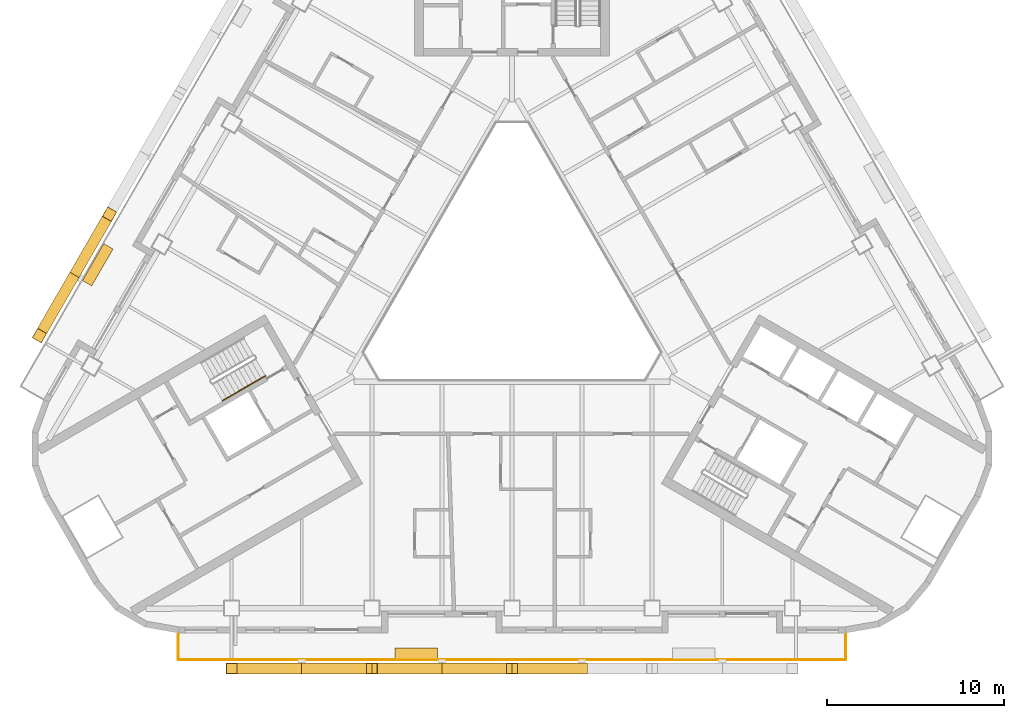
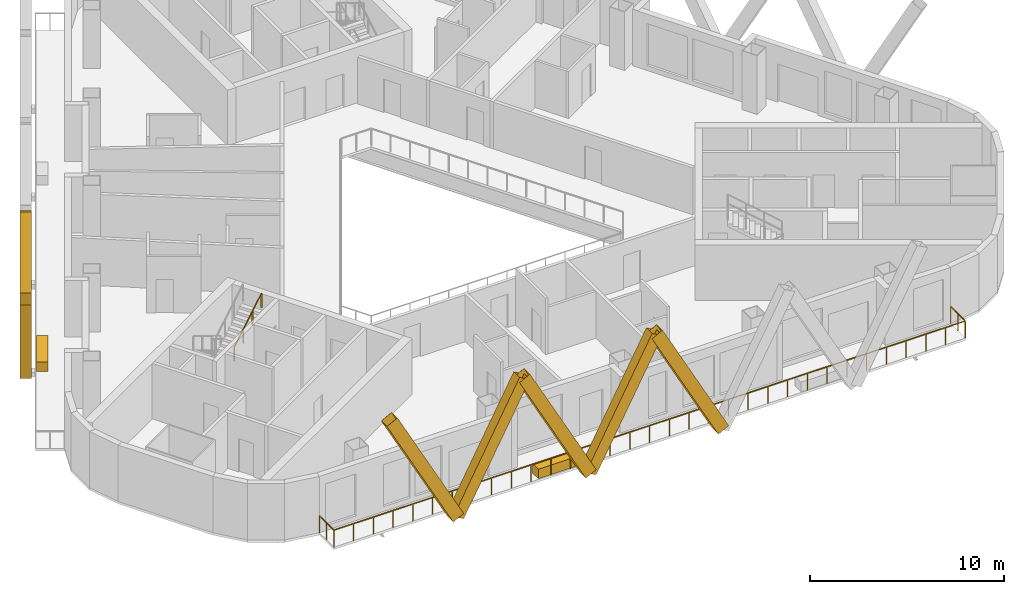
# One storey, part 9 of 14: 7 shading devices, 2 coverings, 2 railings.
"""IFC4 building model written with IfcOpenShell, lengths in metres."""

from ifc_helpers import new_model, si_unit, direction, frame, origin, origin_2d, place, context, subcontext, project, spatial, rectangle, hollow_rectangle, circle, extrude, material, material_profile, profile_set, type_object, element, save


model = new_model("IFC4")

# Units and contexts
model_context = context("Model", 3, precision=1e-05, world=origin(), true_north=direction((0.0, 1.0)))
body_context = subcontext(model_context, "Body", "Model", "MODEL_VIEW")
ifc_project = project(units=[si_unit("LENGTHUNIT", "METRE"), si_unit("AREAUNIT", "SQUARE_METRE"), si_unit("VOLUMEUNIT", "CUBIC_METRE"), si_unit("PLANEANGLEUNIT", "RADIAN"), si_unit("MASSUNIT", "GRAM", prefix="KILO")], contexts=[model_context])

# Site, building, storey
site_placement = place(None, origin())
site = spatial("IfcSite", under=ifc_project, at=site_placement, CompositionType="ELEMENT")
building_placement = place(site_placement, origin())
building = spatial("IfcBuilding", under=site, at=building_placement, Name="Apuvela Tower Hotel", CompositionType="ELEMENT")
storey_placement = place(building_placement, frame((0.0, 0.0, 98.300048828125)))
storey = spatial("IfcBuildingStorey", under=building, at=storey_placement, Name="L22", CompositionType="ELEMENT", Elevation=98.300048828125)

# Railing
ifc_material_1 = material(Name="Stainless steel 316 handrail", Category="steel")
railing_type_1 = type_object("IfcRailingType", Name="COR-HANDRAIL-900", PredefinedType="HANDRAIL", material=ifc_material_1)
railing_1_placement = place(storey_placement, frame((-16.31884765625, -6.534912109375, 2.01806640625)))
element("IfcRailing", 1, at=railing_1_placement, inside=storey, type_object=railing_type_1, Name="L22 ST2 stair handrail 2", PredefinedType="HANDRAIL", context=body_context, shape_type="SweptSolid", body=[
    extrude(circle(Radius=0.02392578125, at=origin_2d()), frame((0.0, 0.0, 0.8759765625), z_axis=(0.742390482028, 0.42860119049, 0.514934356695), x_axis=(-0.49998411664, 0.866034573852, 0.0)), (0.0, 0.0, 1.0), 3.26611328125),
    extrude(rectangle(XDim=0.0419921875, YDim=0.0419921875, at=origin_2d()), origin(), (0.0, 0.0, 1.0), 0.851806640625),
    extrude(rectangle(XDim=0.0419921875, YDim=0.0419921875, at=origin_2d()), frame((0.808349609375, 0.466552734375, 0.560546875)), (0.0, 0.0, 1.0), 0.851806640625),
    extrude(rectangle(XDim=0.0419921875, YDim=0.0419921875, at=origin_2d()), frame((1.616455078125, 0.933349609375, 1.121337890625)), (0.0, 0.0, 1.0), 0.851806640625),
    extrude(rectangle(XDim=0.0419921875, YDim=0.0419921875, at=origin_2d()), frame((2.4248046875, 1.39990234375, 1.681884765625)), (0.0, 0.0, 1.0), 0.851806640625),
])

# Shading devices
ifc_material_2 = material(Name="Aluminium 6063-T6, black anodised", Category="aluminium")
ifc_material_profile = material_profile(ifc_material_2, hollow_rectangle(XDim=0.60009765625, YDim=0.699951171875, WallThickness=0.011962890625, at=origin_2d()), Name="AL BOX 700x600x12")
ifc_profile_set = profile_set([ifc_material_profile], Name="Aluminium 6063-T6, black anodised")
shading_device_type = type_object("IfcShadingDeviceType", Name="ENV-FIN-700x600", PredefinedType="USERDEFINED", material=ifc_profile_set)
for number, where, z_axis, x_axis, name in (
    (2, (-11.85009765625, -21.6298828125, -0.10009765625), (-0.470885802113, 0.0, 0.882194174413), (0.0, -1.0, 0.0), "Lattice fin S153"),
    (3, (-11.85009765625, -21.6298828125, -0.10009765625), (0.470908452903, 0.0, 0.882182083804), (0.0, 1.0, 0.0), "Lattice fin S154"),
    (4, (-3.949951171875, -21.6298828125, -0.10009765625), (-0.470885802113, 0.0, 0.882194174413), (0.0, -1.0, 0.0), "Lattice fin S155"),
    (5, (-3.949951171875, -21.6298828125, -0.10009765625), (0.470885802113, 0.0, 0.882194174413), (0.0, 1.0, 0.0), "Lattice fin S156"),
    (6, (3.949951171875, -21.6298828125, -0.10009765625), (-0.470885802113, 0.0, 0.882194174413), (0.0, -1.0, 0.0), "Lattice fin S157"),
    (7, (-24.656982421875, 0.552490234375, -0.10009765625), (0.235427548578, 0.407814415956, 0.882191176281), (-0.866047669374, 0.499961432884, 0.0), "Lattice fin NW255"),
    (8, (-24.656982421875, 0.552490234375, -0.10009765625), (-0.235457834389, -0.407787356937, 0.88219560175), (0.866005453737, -0.500034552904, 0.0), "Lattice fin NW256"),
):
    element("IfcShadingDevice", number, at=place(storey_placement, frame(where, z_axis=z_axis, x_axis=x_axis)), inside=storey, type_object=shading_device_type, Name=name, ObjectType="FIN", PredefinedType="USERDEFINED", context=body_context, shape_type="SweptSolid", body=[
        extrude(hollow_rectangle(XDim=0.60009765625, YDim=0.699951171875, WallThickness=0.011962890625, at=origin_2d()), origin(), (0.0, 0.0, 1.0), 8.388427734375),
    ])

# Railing
ifc_material_3 = material(Name="Stainless steel 316 rail with laminated glass infill", Category="steel")
railing_type_2 = type_object("IfcRailingType", Name="ENV-GUARD-1100", PredefinedType="GUARDRAIL", material=ifc_material_3)
railing_2_placement = place(storey_placement, frame((-18.81591796875, -19.6298828125, 0.0)))
element("IfcRailing", 9, at=railing_2_placement, inside=storey, type_object=railing_type_2, Name="Balcony guard S L22", PredefinedType="GUARDRAIL", context=body_context, shape_type="SweptSolid", body=[
    extrude(rectangle(XDim=0.050048828125, YDim=0.050048828125, at=origin_2d()), frame((0.0, 0.0, 1.0751953125), z_axis=(0.0, -1.0, 0.0), x_axis=(1.0, 0.0, 0.0)), (0.0, 0.0, 1.0), 1.5),
    extrude(rectangle(XDim=0.050048828125, YDim=0.050048828125, at=origin_2d()), frame((0.0, -1.5, 1.0751953125), z_axis=(1.0, 0.0, 0.0), x_axis=(0.0, 1.0, 0.0)), (0.0, 0.0, 1.0), 37.6318359375),
    extrude(rectangle(XDim=0.050048828125, YDim=0.050048828125, at=origin_2d()), frame((37.6318359375, -1.5, 1.0751953125), z_axis=(0.0, 1.0, 0.0), x_axis=(-1.0, 0.0, 0.0)), (0.0, 0.0, 1.0), 1.5),
    extrude(rectangle(XDim=0.0400390625, YDim=0.0400390625, at=origin_2d()), origin(), (0.0, 0.0, 1.0), 1.050048828125),
    extrude(rectangle(XDim=0.0400390625, YDim=0.0400390625, at=origin_2d()), frame((0.0, -0.75, 0.0)), (0.0, 0.0, 1.0), 1.050048828125),
    extrude(rectangle(XDim=0.0400390625, YDim=0.0400390625, at=origin_2d()), frame((0.0, -1.5, 0.0)), (0.0, 0.0, 1.0), 1.050048828125),
    extrude(rectangle(XDim=0.0400390625, YDim=0.0400390625, at=origin_2d()), frame((1.176025390625, -1.5, 0.0)), (0.0, 0.0, 1.0), 1.050048828125),
    extrude(rectangle(XDim=0.0400390625, YDim=0.0400390625, at=origin_2d()), frame((2.35205078125, -1.5, 0.0)), (0.0, 0.0, 1.0), 1.050048828125),
    extrude(rectangle(XDim=0.0400390625, YDim=0.0400390625, at=origin_2d()), frame((3.528076171875, -1.5, 0.0)), (0.0, 0.0, 1.0), 1.050048828125),
    extrude(rectangle(XDim=0.0400390625, YDim=0.0400390625, at=origin_2d()), frame((4.7041015625, -1.5, 0.0)), (0.0, 0.0, 1.0), 1.050048828125),
    extrude(rectangle(XDim=0.0400390625, YDim=0.0400390625, at=origin_2d()), frame((5.8798828125, -1.5, 0.0)), (0.0, 0.0, 1.0), 1.050048828125),
    extrude(rectangle(XDim=0.0400390625, YDim=0.0400390625, at=origin_2d()), frame((7.055908203125, -1.5, 0.0)), (0.0, 0.0, 1.0), 1.050048828125),
    extrude(rectangle(XDim=0.0400390625, YDim=0.0400390625, at=origin_2d()), frame((8.23193359375, -1.5, 0.0)), (0.0, 0.0, 1.0), 1.050048828125),
    extrude(rectangle(XDim=0.0400390625, YDim=0.0400390625, at=origin_2d()), frame((9.407958984375, -1.5, 0.0)), (0.0, 0.0, 1.0), 1.050048828125),
    extrude(rectangle(XDim=0.0400390625, YDim=0.0400390625, at=origin_2d()), frame((10.583984375, -1.5, 0.0)), (0.0, 0.0, 1.0), 1.050048828125),
    extrude(rectangle(XDim=0.0400390625, YDim=0.0400390625, at=origin_2d()), frame((11.760009765625, -1.5, 0.0)), (0.0, 0.0, 1.0), 1.050048828125),
    extrude(rectangle(XDim=0.0400390625, YDim=0.0400390625, at=origin_2d()), frame((12.93603515625, -1.5, 0.0)), (0.0, 0.0, 1.0), 1.050048828125),
    extrude(rectangle(XDim=0.0400390625, YDim=0.0400390625, at=origin_2d()), frame((14.11181640625, -1.5, 0.0)), (0.0, 0.0, 1.0), 1.050048828125),
    extrude(rectangle(XDim=0.0400390625, YDim=0.0400390625, at=origin_2d()), frame((15.287841796875, -1.5, 0.0)), (0.0, 0.0, 1.0), 1.050048828125),
    extrude(rectangle(XDim=0.0400390625, YDim=0.0400390625, at=origin_2d()), frame((16.4638671875, -1.5, 0.0)), (0.0, 0.0, 1.0), 1.050048828125),
    extrude(rectangle(XDim=0.0400390625, YDim=0.0400390625, at=origin_2d()), frame((17.639892578125, -1.5, 0.0)), (0.0, 0.0, 1.0), 1.050048828125),
    extrude(rectangle(XDim=0.0400390625, YDim=0.0400390625, at=origin_2d()), frame((18.81591796875, -1.5, 0.0)), (0.0, 0.0, 1.0), 1.050048828125),
    extrude(rectangle(XDim=0.0400390625, YDim=0.0400390625, at=origin_2d()), frame((19.991943359375, -1.5, 0.0)), (0.0, 0.0, 1.0), 1.050048828125),
    extrude(rectangle(XDim=0.0400390625, YDim=0.0400390625, at=origin_2d()), frame((21.16796875, -1.5, 0.0)), (0.0, 0.0, 1.0), 1.050048828125),
    extrude(rectangle(XDim=0.0400390625, YDim=0.0400390625, at=origin_2d()), frame((22.343994140625, -1.5, 0.0)), (0.0, 0.0, 1.0), 1.050048828125),
    extrude(rectangle(XDim=0.0400390625, YDim=0.0400390625, at=origin_2d()), frame((23.52001953125, -1.5, 0.0)), (0.0, 0.0, 1.0), 1.050048828125),
    extrude(rectangle(XDim=0.0400390625, YDim=0.0400390625, at=origin_2d()), frame((24.69580078125, -1.5, 0.0)), (0.0, 0.0, 1.0), 1.050048828125),
    extrude(rectangle(XDim=0.0400390625, YDim=0.0400390625, at=origin_2d()), frame((25.871826171875, -1.5, 0.0)), (0.0, 0.0, 1.0), 1.050048828125),
    extrude(rectangle(XDim=0.0400390625, YDim=0.0400390625, at=origin_2d()), frame((27.0478515625, -1.5, 0.0)), (0.0, 0.0, 1.0), 1.050048828125),
    extrude(rectangle(XDim=0.0400390625, YDim=0.0400390625, at=origin_2d()), frame((28.223876953125, -1.5, 0.0)), (0.0, 0.0, 1.0), 1.050048828125),
    extrude(rectangle(XDim=0.0400390625, YDim=0.0400390625, at=origin_2d()), frame((29.39990234375, -1.5, 0.0)), (0.0, 0.0, 1.0), 1.050048828125),
    extrude(rectangle(XDim=0.0400390625, YDim=0.0400390625, at=origin_2d()), frame((30.575927734375, -1.5, 0.0)), (0.0, 0.0, 1.0), 1.050048828125),
    extrude(rectangle(XDim=0.0400390625, YDim=0.0400390625, at=origin_2d()), frame((31.751953125, -1.5, 0.0)), (0.0, 0.0, 1.0), 1.050048828125),
    extrude(rectangle(XDim=0.0400390625, YDim=0.0400390625, at=origin_2d()), frame((32.927734375, -1.5, 0.0)), (0.0, 0.0, 1.0), 1.050048828125),
    extrude(rectangle(XDim=0.0400390625, YDim=0.0400390625, at=origin_2d()), frame((34.103759765625, -1.5, 0.0)), (0.0, 0.0, 1.0), 1.050048828125),
    extrude(rectangle(XDim=0.0400390625, YDim=0.0400390625, at=origin_2d()), frame((35.27978515625, -1.5, 0.0)), (0.0, 0.0, 1.0), 1.050048828125),
    extrude(rectangle(XDim=0.0400390625, YDim=0.0400390625, at=origin_2d()), frame((36.455810546875, -1.5, 0.0)), (0.0, 0.0, 1.0), 1.050048828125),
    extrude(rectangle(XDim=0.0400390625, YDim=0.0400390625, at=origin_2d()), frame((37.6318359375, -1.5, 0.0)), (0.0, 0.0, 1.0), 1.050048828125),
    extrude(rectangle(XDim=0.0400390625, YDim=0.0400390625, at=origin_2d()), frame((37.6318359375, -0.75, 0.0)), (0.0, 0.0, 1.0), 1.050048828125),
    extrude(rectangle(XDim=0.0400390625, YDim=0.0400390625, at=origin_2d()), frame((37.6318359375, 0.0, 0.0)), (0.0, 0.0, 1.0), 1.050048828125),
])

# Coverings
ifc_material_4 = material(Name="Planting substrate and soil, planted")
covering_type = type_object("IfcCoveringType", Name="ENV-PLANTER-2400x600", PredefinedType="USERDEFINED", material=ifc_material_4)
for number, where, z_axis, x_axis, name in (
    (10, (-5.399658203125, -20.780029296875, 0.0), (0.0, 0.0, 1.0), (1.0, 0.0, 0.0), "Planter S1"),
    (11, (-23.345947265625, 1.12353515625, 0.0), (0.0, 0.0, 1.0), (-0.5, -0.866025403784, 0.0), "Planter NW6"),
):
    element("IfcCovering", number, at=place(storey_placement, frame(where, z_axis=z_axis, x_axis=x_axis)), inside=storey, type_object=covering_type, Name=name, ObjectType="PLANTER", PredefinedType="USERDEFINED", context=body_context, shape_type="SweptSolid", body=[
        extrude(rectangle(XDim=2.39990234375, YDim=0.60009765625, at=origin_2d()), origin(), (0.0, 0.0, 1.0), 0.60009765625),
    ])

save(model, "model.ifc")
